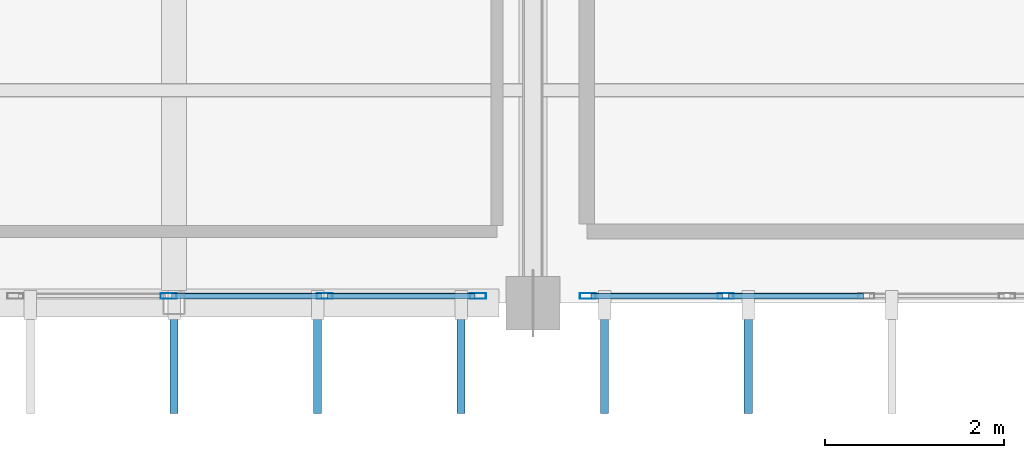
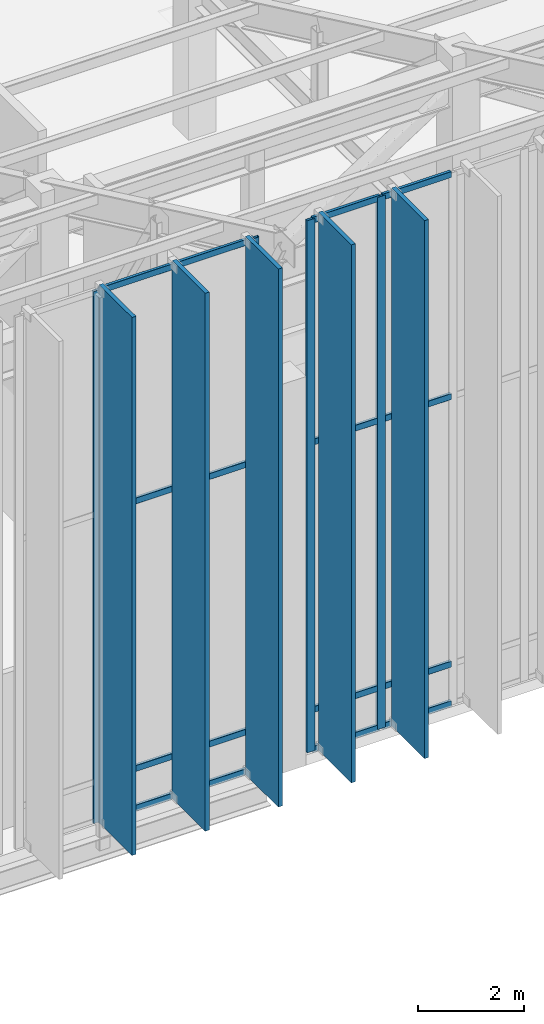
# One storey, part 7 of 68: 26 members, 2 elements without a shape of their own.
"""IFC4 building model written with IfcOpenShell, lengths in metres."""

from ifc_helpers import new_model, si_unit, direction, frame, origin, origin_2d, place, context, subcontext, project, spatial, rectangle, hollow_rectangle, extrude, material, material_profile, profile_set, type_object, element, aggregate, save


model = new_model("IFC4")

# Units and contexts
model_context = context("Model", 3, precision=1e-05, world=origin(), true_north=direction((0.0, 1.0)))
body_context = subcontext(model_context, "Body", "Model", "MODEL_VIEW")
ifc_project = project(units=[si_unit("LENGTHUNIT", "METRE"), si_unit("AREAUNIT", "SQUARE_METRE"), si_unit("VOLUMEUNIT", "CUBIC_METRE"), si_unit("PLANEANGLEUNIT", "RADIAN"), si_unit("MASSUNIT", "GRAM", prefix="KILO")], contexts=[model_context])

# Site, building, storey
site_placement = place(None, origin())
site = spatial("IfcSite", under=ifc_project, at=site_placement, CompositionType="ELEMENT")
building_placement = place(site_placement, origin())
building = spatial("IfcBuilding", under=site, at=building_placement, Name="Miravela Opera House", CompositionType="ELEMENT")
storey_placement = place(building_placement, frame((0.0, 0.0, 21.760009765625)))
storey = spatial("IfcBuildingStorey", under=building, at=storey_placement, Name="L05", CompositionType="ELEMENT", Elevation=21.760009765625)

# Curtain wall, members
ifc_material = material(Name="Anodised architectural bronze aluminium 6063-T6", Category="aluminium")
curtain_wall_type = type_object("IfcCurtainWallType", Name="ARC-CW-03", PredefinedType="NOTDEFINED", material=ifc_material)
curtain_wall_1_placement = place(storey_placement, origin())
curtain_wall_1 = element("IfcCurtainWall", 1, at=curtain_wall_1_placement, inside=storey, type_object=curtain_wall_type, Name="Auditorium South Wrapper Glazing CW-L05-058", PredefinedType="NOTDEFINED")
ifc_material_profile_1 = material_profile(ifc_material, hollow_rectangle(XDim=0.06494140625, YDim=0.179931640625, WallThickness=0.00390625, InnerFilletRadius=0.001953125, OuterFilletRadius=0.00390625, at=origin_2d()), Name="CWM-65X180")
ifc_profile_set_1 = profile_set([ifc_material_profile_1])
member_type_1 = type_object("IfcMemberType", Name="ARC-CWM-180", PredefinedType="MULLION", material=ifc_profile_set_1)
member_1_placement = place(storey_placement, frame((22.93994140625, 37.080078125, 0.0), z_axis=(0.0, 0.0, 1.0), x_axis=(0.0, 1.0, 0.0)))
member_1 = element("IfcMember", 2, at=member_1_placement, type_object=member_type_1, Name="CW-03 mullion 2", PredefinedType="MULLION", context=body_context, shape_type="SweptSolid", body=[
    extrude(hollow_rectangle(XDim=0.06494140625, YDim=0.179931640625, WallThickness=0.00390625, InnerFilletRadius=0.001953125, OuterFilletRadius=0.00390625, at=origin_2d()), origin(), (0.0, 0.0, 1.0), 12.31005859375),
])
member_2_placement = place(storey_placement, frame((24.679931640625, 37.080078125, 0.0), z_axis=(0.0, 0.0, 1.0), x_axis=(0.0, 1.0, 0.0)))
member_2 = element("IfcMember", 3, at=member_2_placement, type_object=member_type_1, Name="CW-03 mullion 3", PredefinedType="MULLION", context=body_context, shape_type="SweptSolid", body=[
    extrude(hollow_rectangle(XDim=0.06494140625, YDim=0.179931640625, WallThickness=0.00390625, InnerFilletRadius=0.001953125, OuterFilletRadius=0.00390625, at=origin_2d()), origin(), (0.0, 0.0, 1.0), 12.31005859375),
])
member_3_placement = place(storey_placement, frame((26.387451171875, 37.080078125, 0.0), z_axis=(0.0, 0.0, 1.0), x_axis=(0.0, 1.0, 0.0)))
member_3 = element("IfcMember", 4, at=member_3_placement, type_object=member_type_1, Name="CW-03 mullion 4", PredefinedType="MULLION", context=body_context, shape_type="SweptSolid", body=[
    extrude(hollow_rectangle(XDim=0.06494140625, YDim=0.179931640625, WallThickness=0.00390625, InnerFilletRadius=0.001953125, OuterFilletRadius=0.00390625, at=origin_2d()), origin(), (0.0, 0.0, 1.0), 12.31005859375),
])

curtain_wall_2_placement = place(storey_placement, origin())
curtain_wall_2 = element("IfcCurtainWall", 5, at=curtain_wall_2_placement, inside=storey, type_object=curtain_wall_type, Name="Auditorium South Wrapper Glazing CW-L05-060", PredefinedType="NOTDEFINED")
member_4_placement = place(storey_placement, frame((27.612548828125, 37.080078125, 0.0), z_axis=(0.0, 0.0, 1.0), x_axis=(0.0, 1.0, 0.0)))
member_4 = element("IfcMember", 6, at=member_4_placement, type_object=member_type_1, Name="CW-03 mullion 1", PredefinedType="MULLION", context=body_context, shape_type="SweptSolid", body=[
    extrude(hollow_rectangle(XDim=0.06494140625, YDim=0.179931640625, WallThickness=0.00390625, InnerFilletRadius=0.001953125, OuterFilletRadius=0.00390625, at=origin_2d()), origin(), (0.0, 0.0, 1.0), 12.31005859375),
])
member_5_placement = place(storey_placement, frame((29.14794921875, 37.080078125, 0.0), z_axis=(0.0, 0.0, 1.0), x_axis=(0.0, 1.0, 0.0)))
member_5 = element("IfcMember", 7, at=member_5_placement, type_object=member_type_1, Name="CW-03 mullion 2", PredefinedType="MULLION", context=body_context, shape_type="SweptSolid", body=[
    extrude(hollow_rectangle(XDim=0.06494140625, YDim=0.179931640625, WallThickness=0.00390625, InnerFilletRadius=0.001953125, OuterFilletRadius=0.00390625, at=origin_2d()), origin(), (0.0, 0.0, 1.0), 12.31005859375),
])

# Member
ifc_material_profile_2 = material_profile(ifc_material, hollow_rectangle(XDim=0.06494140625, YDim=0.139892578125, WallThickness=0.00390625, InnerFilletRadius=0.001953125, OuterFilletRadius=0.00390625, at=origin_2d()), Name="CWT-65X140")
ifc_profile_set_2 = profile_set([ifc_material_profile_2])
member_type_2 = type_object("IfcMemberType", Name="ARC-CWT-140", PredefinedType="USERDEFINED", material=ifc_profile_set_2)
member_6_placement = place(storey_placement, frame((22.972412109375, 37.080078125, 0.032470703125), z_axis=(1.0, 0.0, 0.0), x_axis=(0.0, 1.0, 0.0)))
member_6 = element("IfcMember", 8, at=member_6_placement, type_object=member_type_2, Name="CW-03 transom 2.1", ObjectType="TRANSOM", PredefinedType="USERDEFINED", context=body_context, shape_type="SweptSolid", body=[
    extrude(hollow_rectangle(XDim=0.06494140625, YDim=0.139892578125, WallThickness=0.00390625, InnerFilletRadius=0.001953125, OuterFilletRadius=0.00390625, at=origin_2d()), origin(), (0.0, 0.0, 1.0), 1.675048828125),
])

member_7_placement = place(storey_placement, frame((22.972412109375, 37.080078125, 0.949951171875), z_axis=(1.0, 0.0, 0.0), x_axis=(0.0, 1.0, 0.0)))
member_7 = element("IfcMember", 9, at=member_7_placement, type_object=member_type_2, Name="CW-03 transom 2.2", ObjectType="TRANSOM", PredefinedType="USERDEFINED", context=body_context, shape_type="SweptSolid", body=[
    extrude(hollow_rectangle(XDim=0.06494140625, YDim=0.139892578125, WallThickness=0.00390625, InnerFilletRadius=0.001953125, OuterFilletRadius=0.00390625, at=origin_2d()), origin(), (0.0, 0.0, 1.0), 1.675048828125),
])

member_8_placement = place(storey_placement, frame((22.972412109375, 37.080078125, 7.139892578125), z_axis=(1.0, 0.0, 0.0), x_axis=(0.0, 1.0, 0.0)))
member_8 = element("IfcMember", 10, at=member_8_placement, type_object=member_type_2, Name="CW-03 transom 2.3", ObjectType="TRANSOM", PredefinedType="USERDEFINED", context=body_context, shape_type="SweptSolid", body=[
    extrude(hollow_rectangle(XDim=0.06494140625, YDim=0.139892578125, WallThickness=0.00390625, InnerFilletRadius=0.001953125, OuterFilletRadius=0.00390625, at=origin_2d()), origin(), (0.0, 0.0, 1.0), 1.675048828125),
])

member_9_placement = place(storey_placement, frame((22.972412109375, 37.080078125, 12.277587890625), z_axis=(1.0, 0.0, 0.0), x_axis=(0.0, 1.0, 0.0)))
member_9 = element("IfcMember", 11, at=member_9_placement, type_object=member_type_2, Name="CW-03 transom 2.4", ObjectType="TRANSOM", PredefinedType="USERDEFINED", context=body_context, shape_type="SweptSolid", body=[
    extrude(hollow_rectangle(XDim=0.06494140625, YDim=0.139892578125, WallThickness=0.00390625, InnerFilletRadius=0.001953125, OuterFilletRadius=0.00390625, at=origin_2d()), origin(), (0.0, 0.0, 1.0), 1.675048828125),
])

member_10_placement = place(storey_placement, frame((24.71240234375, 37.080078125, 0.032470703125), z_axis=(1.0, 0.0, 0.0), x_axis=(0.0, 1.0, 0.0)))
member_10 = element("IfcMember", 12, at=member_10_placement, type_object=member_type_2, Name="CW-03 transom 3.1", ObjectType="TRANSOM", PredefinedType="USERDEFINED", context=body_context, shape_type="SweptSolid", body=[
    extrude(hollow_rectangle(XDim=0.06494140625, YDim=0.139892578125, WallThickness=0.00390625, InnerFilletRadius=0.001953125, OuterFilletRadius=0.00390625, at=origin_2d()), origin(), (0.0, 0.0, 1.0), 1.642578125),
])

member_11_placement = place(storey_placement, frame((24.71240234375, 37.080078125, 0.949951171875), z_axis=(1.0, 0.0, 0.0), x_axis=(0.0, 1.0, 0.0)))
member_11 = element("IfcMember", 13, at=member_11_placement, type_object=member_type_2, Name="CW-03 transom 3.2", ObjectType="TRANSOM", PredefinedType="USERDEFINED", context=body_context, shape_type="SweptSolid", body=[
    extrude(hollow_rectangle(XDim=0.06494140625, YDim=0.139892578125, WallThickness=0.00390625, InnerFilletRadius=0.001953125, OuterFilletRadius=0.00390625, at=origin_2d()), origin(), (0.0, 0.0, 1.0), 1.642578125),
])

member_12_placement = place(storey_placement, frame((24.71240234375, 37.080078125, 7.139892578125), z_axis=(1.0, 0.0, 0.0), x_axis=(0.0, 1.0, 0.0)))
member_12 = element("IfcMember", 14, at=member_12_placement, type_object=member_type_2, Name="CW-03 transom 3.3", ObjectType="TRANSOM", PredefinedType="USERDEFINED", context=body_context, shape_type="SweptSolid", body=[
    extrude(hollow_rectangle(XDim=0.06494140625, YDim=0.139892578125, WallThickness=0.00390625, InnerFilletRadius=0.001953125, OuterFilletRadius=0.00390625, at=origin_2d()), origin(), (0.0, 0.0, 1.0), 1.642578125),
])

member_13_placement = place(storey_placement, frame((24.71240234375, 37.080078125, 12.277587890625), z_axis=(1.0, 0.0, 0.0), x_axis=(0.0, 1.0, 0.0)))
member_13 = element("IfcMember", 15, at=member_13_placement, type_object=member_type_2, Name="CW-03 transom 3.4", ObjectType="TRANSOM", PredefinedType="USERDEFINED", context=body_context, shape_type="SweptSolid", body=[
    extrude(hollow_rectangle(XDim=0.06494140625, YDim=0.139892578125, WallThickness=0.00390625, InnerFilletRadius=0.001953125, OuterFilletRadius=0.00390625, at=origin_2d()), origin(), (0.0, 0.0, 1.0), 1.642578125),
])

aggregate(curtain_wall_1, [member_1, member_2, member_3, member_6, member_7, member_8, member_9, member_10, member_11, member_12, member_13])

member_14_placement = place(storey_placement, frame((27.64501953125, 37.080078125, 0.032470703125), z_axis=(1.0, 0.0, 0.0), x_axis=(0.0, 1.0, 0.0)))
member_14 = element("IfcMember", 16, at=member_14_placement, type_object=member_type_2, Name="CW-03 transom 1.1", ObjectType="TRANSOM", PredefinedType="USERDEFINED", context=body_context, shape_type="SweptSolid", body=[
    extrude(hollow_rectangle(XDim=0.06494140625, YDim=0.139892578125, WallThickness=0.00390625, InnerFilletRadius=0.001953125, OuterFilletRadius=0.00390625, at=origin_2d()), origin(), (0.0, 0.0, 1.0), 1.470458984375),
])

member_15_placement = place(storey_placement, frame((27.64501953125, 37.080078125, 0.949951171875), z_axis=(1.0, 0.0, 0.0), x_axis=(0.0, 1.0, 0.0)))
member_15 = element("IfcMember", 17, at=member_15_placement, type_object=member_type_2, Name="CW-03 transom 1.2", ObjectType="TRANSOM", PredefinedType="USERDEFINED", context=body_context, shape_type="SweptSolid", body=[
    extrude(hollow_rectangle(XDim=0.06494140625, YDim=0.139892578125, WallThickness=0.00390625, InnerFilletRadius=0.001953125, OuterFilletRadius=0.00390625, at=origin_2d()), origin(), (0.0, 0.0, 1.0), 1.470458984375),
])

member_16_placement = place(storey_placement, frame((27.64501953125, 37.080078125, 7.139892578125), z_axis=(1.0, 0.0, 0.0), x_axis=(0.0, 1.0, 0.0)))
member_16 = element("IfcMember", 18, at=member_16_placement, type_object=member_type_2, Name="CW-03 transom 1.3", ObjectType="TRANSOM", PredefinedType="USERDEFINED", context=body_context, shape_type="SweptSolid", body=[
    extrude(hollow_rectangle(XDim=0.06494140625, YDim=0.139892578125, WallThickness=0.00390625, InnerFilletRadius=0.001953125, OuterFilletRadius=0.00390625, at=origin_2d()), origin(), (0.0, 0.0, 1.0), 1.470458984375),
])

member_17_placement = place(storey_placement, frame((27.64501953125, 37.080078125, 12.277587890625), z_axis=(1.0, 0.0, 0.0), x_axis=(0.0, 1.0, 0.0)))
member_17 = element("IfcMember", 19, at=member_17_placement, type_object=member_type_2, Name="CW-03 transom 1.4", ObjectType="TRANSOM", PredefinedType="USERDEFINED", context=body_context, shape_type="SweptSolid", body=[
    extrude(hollow_rectangle(XDim=0.06494140625, YDim=0.139892578125, WallThickness=0.00390625, InnerFilletRadius=0.001953125, OuterFilletRadius=0.00390625, at=origin_2d()), origin(), (0.0, 0.0, 1.0), 1.470458984375),
])

member_18_placement = place(storey_placement, frame((29.180419921875, 37.080078125, 0.032470703125), z_axis=(1.0, 0.0, 0.0), x_axis=(0.0, 1.0, 0.0)))
member_18 = element("IfcMember", 20, at=member_18_placement, type_object=member_type_2, Name="CW-03 transom 2.1", ObjectType="TRANSOM", PredefinedType="USERDEFINED", context=body_context, shape_type="SweptSolid", body=[
    extrude(hollow_rectangle(XDim=0.06494140625, YDim=0.139892578125, WallThickness=0.00390625, InnerFilletRadius=0.001953125, OuterFilletRadius=0.00390625, at=origin_2d()), origin(), (0.0, 0.0, 1.0), 1.503173828125),
])

member_19_placement = place(storey_placement, frame((29.180419921875, 37.080078125, 0.949951171875), z_axis=(1.0, 0.0, 0.0), x_axis=(0.0, 1.0, 0.0)))
member_19 = element("IfcMember", 21, at=member_19_placement, type_object=member_type_2, Name="CW-03 transom 2.2", ObjectType="TRANSOM", PredefinedType="USERDEFINED", context=body_context, shape_type="SweptSolid", body=[
    extrude(hollow_rectangle(XDim=0.06494140625, YDim=0.139892578125, WallThickness=0.00390625, InnerFilletRadius=0.001953125, OuterFilletRadius=0.00390625, at=origin_2d()), origin(), (0.0, 0.0, 1.0), 1.503173828125),
])

member_20_placement = place(storey_placement, frame((29.180419921875, 37.080078125, 7.139892578125), z_axis=(1.0, 0.0, 0.0), x_axis=(0.0, 1.0, 0.0)))
member_20 = element("IfcMember", 22, at=member_20_placement, type_object=member_type_2, Name="CW-03 transom 2.3", ObjectType="TRANSOM", PredefinedType="USERDEFINED", context=body_context, shape_type="SweptSolid", body=[
    extrude(hollow_rectangle(XDim=0.06494140625, YDim=0.139892578125, WallThickness=0.00390625, InnerFilletRadius=0.001953125, OuterFilletRadius=0.00390625, at=origin_2d()), origin(), (0.0, 0.0, 1.0), 1.503173828125),
])

member_21_placement = place(storey_placement, frame((29.180419921875, 37.080078125, 12.277587890625), z_axis=(1.0, 0.0, 0.0), x_axis=(0.0, 1.0, 0.0)))
member_21 = element("IfcMember", 23, at=member_21_placement, type_object=member_type_2, Name="CW-03 transom 2.4", ObjectType="TRANSOM", PredefinedType="USERDEFINED", context=body_context, shape_type="SweptSolid", body=[
    extrude(hollow_rectangle(XDim=0.06494140625, YDim=0.139892578125, WallThickness=0.00390625, InnerFilletRadius=0.001953125, OuterFilletRadius=0.00390625, at=origin_2d()), origin(), (0.0, 0.0, 1.0), 1.503173828125),
])

aggregate(curtain_wall_2, [member_4, member_5, member_14, member_15, member_16, member_17, member_18, member_19, member_20, member_21])

# Members
ifc_material_profile_3 = material_profile(ifc_material, rectangle(XDim=0.090087890625, YDim=1.25, at=origin_2d()), Name="FIN-1250X90")
ifc_profile_set_3 = profile_set([ifc_material_profile_3])
member_type_3 = type_object("IfcMemberType", Name="ARC-FIN-1250", PredefinedType="USERDEFINED", material=ifc_profile_set_3)
for number, where, z_axis, x_axis, name in (
    (24, (23.0, 36.39501953125, 0.0), (0.0, 0.0, 1.0), (1.0, 0.0, 0.0), "Auditorium Wrapper Bronze Solar Fin FIN-L05-SOUTH-0172"),
    (25, (24.60009765625, 36.39501953125, 0.0), (0.0, 0.0, 1.0), (1.0, 0.0, 0.0), "Auditorium Wrapper Bronze Solar Fin FIN-L05-SOUTH-0174"),
    (26, (26.199951171875, 36.39501953125, 0.0), (0.0, 0.0, 1.0), (1.0, 0.0, 0.0), "Auditorium Wrapper Bronze Solar Fin FIN-L05-SOUTH-0176"),
    (27, (27.800048828125, 36.39501953125, 0.0), (0.0, 0.0, 1.0), (1.0, 0.0, 0.0), "Auditorium Wrapper Bronze Solar Fin FIN-L05-SOUTH-0178"),
    (28, (29.39990234375, 36.39501953125, 0.0), (0.0, 0.0, 1.0), (1.0, 0.0, 0.0), "Auditorium Wrapper Bronze Solar Fin FIN-L05-SOUTH-0180"),
):
    element("IfcMember", number, at=place(storey_placement, frame(where, z_axis=z_axis, x_axis=x_axis)), inside=storey, type_object=member_type_3, Name=name, ObjectType="FIN", PredefinedType="USERDEFINED", context=body_context, shape_type="SweptSolid", body=[
        extrude(rectangle(XDim=0.090087890625, YDim=1.25, at=origin_2d()), origin(), (0.0, 0.0, 1.0), 12.449951171875),
    ])

save(model, "model.ifc")
